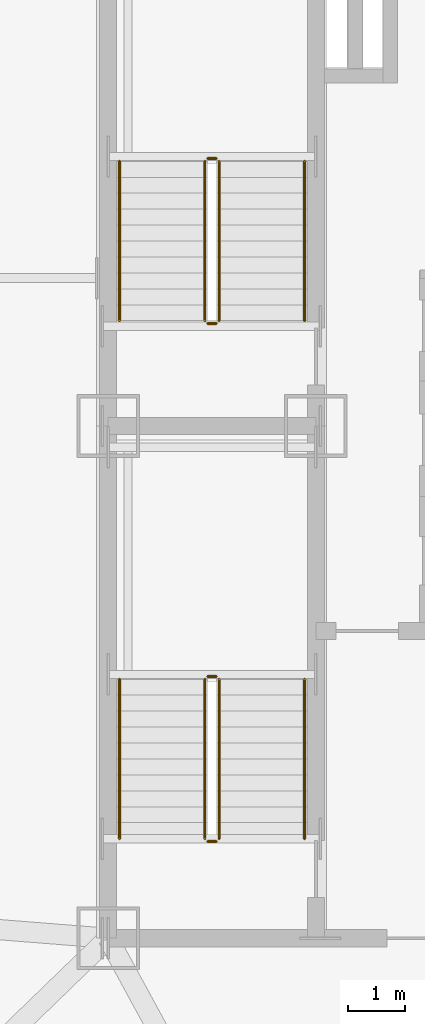
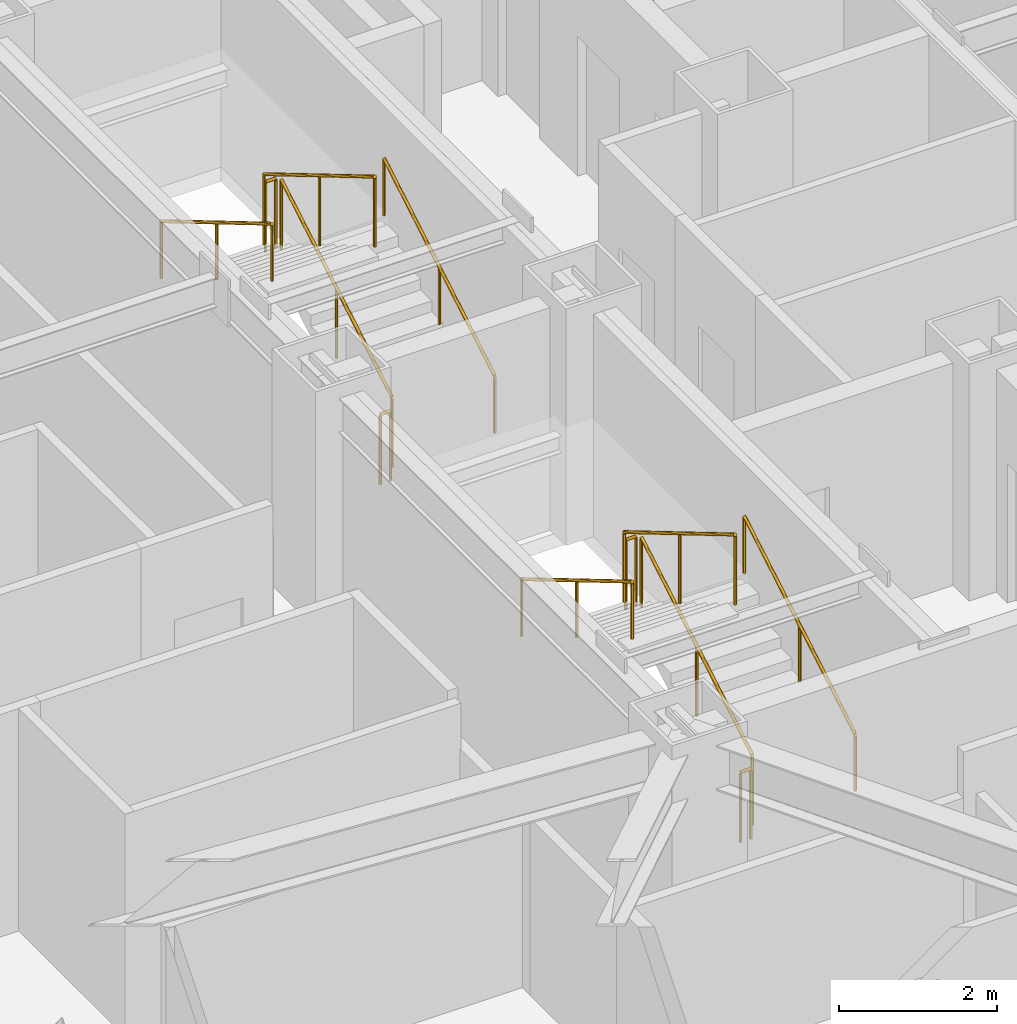
# One storey, part 11 of 11: 12 railings.
"""IFC4 building model written with IfcOpenShell, lengths in metres."""

from ifc_helpers import new_model, si_unit, direction, frame, origin, origin_2d, place, context, subcontext, project, spatial, circle, extrude, material, type_object, element, save


model = new_model("IFC4")

# Units and contexts
model_context = context("Model", 3, precision=1e-05, world=origin(), true_north=direction((0.0, 1.0)))
body_context = subcontext(model_context, "Body", "Model", "MODEL_VIEW")
ifc_project = project(units=[si_unit("LENGTHUNIT", "METRE"), si_unit("AREAUNIT", "SQUARE_METRE"), si_unit("VOLUMEUNIT", "CUBIC_METRE"), si_unit("PLANEANGLEUNIT", "RADIAN"), si_unit("MASSUNIT", "GRAM", prefix="KILO")], contexts=[model_context])

# Site, building, storey
site_placement = place(None, origin())
site = spatial("IfcSite", under=ifc_project, at=site_placement, CompositionType="ELEMENT")
building_placement = place(site_placement, origin())
building = spatial("IfcBuilding", under=site, at=building_placement, Name="Khamvora Tower", CompositionType="ELEMENT")
storey_placement = place(building_placement, frame((0.0, 0.0, 174.14990234375)))
storey = spatial("IfcBuildingStorey", under=building, at=storey_placement, Name="L44", CompositionType="ELEMENT", Elevation=174.14990234375)

# Railings
ifc_material_1 = material(Name="Brushed Stainless Steel 316", Category="steel")
railing_type_1 = type_object("IfcRailingType", Name="RAL-HDR-920", PredefinedType="HANDRAIL", material=ifc_material_1)
railing_1_placement = place(storey_placement, frame((32.449951171875, 20.75, 0.166015625)))
element("IfcRailing", 1, at=railing_1_placement, inside=storey, type_object=railing_type_1, Name="L44 ST-01 stair handrail 1", PredefinedType="HANDRAIL", context=body_context, shape_type="SweptSolid", body=[
    extrude(circle(Radius=0.02392578125, at=origin_2d()), frame((0.0, 0.0, 0.8759765625), z_axis=(0.0, 0.860306154799, 0.50977771628), x_axis=(-1.0, 0.0, 0.0)), (0.0, 0.0, 1.0), 3.254638671875),
    extrude(circle(Radius=0.02099609375, at=origin_2d()), origin(), (0.0, 0.0, 1.0), 0.851806640625),
    extrude(circle(Radius=0.02099609375, at=origin_2d()), frame((0.0, 1.39990234375, 0.82958984375)), (0.0, 0.0, 1.0), 0.851806640625),
    extrude(circle(Radius=0.02099609375, at=origin_2d()), frame((0.0, 2.800048828125, 1.6591796875)), (0.0, 0.0, 1.0), 0.851806640625),
])
railing_2_placement = place(storey_placement, frame((29.199951171875, 23.550048828125, 1.990966796875)))
element("IfcRailing", 2, at=railing_2_placement, inside=storey, type_object=railing_type_1, Name="L44 ST-01 stair handrail 2", PredefinedType="HANDRAIL", context=body_context, shape_type="SweptSolid", body=[
    extrude(circle(Radius=0.02392578125, at=origin_2d()), frame((0.0, 0.0, 0.8759765625), z_axis=(0.0, -0.860306154799, 0.50977771628), x_axis=(1.0, 0.0, 0.0)), (0.0, 0.0, 1.0), 3.254638671875),
    extrude(circle(Radius=0.02099609375, at=origin_2d()), origin(), (0.0, 0.0, 1.0), 0.851806640625),
    extrude(circle(Radius=0.02099609375, at=origin_2d()), frame((0.0, -1.39990234375, 0.82958984375)), (0.0, 0.0, 1.0), 0.851806640625),
    extrude(circle(Radius=0.02099609375, at=origin_2d()), frame((0.0, -2.800048828125, 1.6591796875)), (0.0, 0.0, 1.0), 0.851806640625),
])
railing_3_placement = place(storey_placement, frame((32.449951171875, 29.85009765625, 0.166015625)))
element("IfcRailing", 3, at=railing_3_placement, inside=storey, type_object=railing_type_1, Name="L44 ST-02 stair handrail 1", PredefinedType="HANDRAIL", context=body_context, shape_type="SweptSolid", body=[
    extrude(circle(Radius=0.02392578125, at=origin_2d()), frame((0.0, 0.0, 0.8759765625), z_axis=(0.0, 0.860286659441, 0.509810615413), x_axis=(-1.0, 0.0, 0.0)), (0.0, 0.0, 1.0), 3.25439453125),
    extrude(circle(Radius=0.02099609375, at=origin_2d()), origin(), (0.0, 0.0, 1.0), 0.851806640625),
    extrude(circle(Radius=0.02099609375, at=origin_2d()), frame((0.0, 1.39990234375, 0.82958984375)), (0.0, 0.0, 1.0), 0.851806640625),
    extrude(circle(Radius=0.02099609375, at=origin_2d()), frame((0.0, 2.7998046875, 1.6591796875)), (0.0, 0.0, 1.0), 0.851806640625),
])
railing_4_placement = place(storey_placement, frame((29.199951171875, 32.64990234375, 1.990966796875)))
element("IfcRailing", 4, at=railing_4_placement, inside=storey, type_object=railing_type_1, Name="L44 ST-02 stair handrail 2", PredefinedType="HANDRAIL", context=body_context, shape_type="SweptSolid", body=[
    extrude(circle(Radius=0.02392578125, at=origin_2d()), frame((0.0, 0.0, 0.8759765625), z_axis=(0.0, -0.860286659441, 0.509810615413), x_axis=(1.0, 0.0, 0.0)), (0.0, 0.0, 1.0), 3.25439453125),
    extrude(circle(Radius=0.02099609375, at=origin_2d()), origin(), (0.0, 0.0, 1.0), 0.851806640625),
    extrude(circle(Radius=0.02099609375, at=origin_2d()), frame((0.0, -1.39990234375, 0.82958984375)), (0.0, 0.0, 1.0), 0.851806640625),
    extrude(circle(Radius=0.02099609375, at=origin_2d()), frame((0.0, -2.7998046875, 1.6591796875)), (0.0, 0.0, 1.0), 0.851806640625),
])
ifc_material_2 = material(Name="Stainless Steel 316", Category="steel")
railing_type_2 = type_object("IfcRailingType", Name="RAL-STG-1100", PredefinedType="GUARDRAIL", material=ifc_material_2)
railing_5_placement = place(storey_placement, frame((30.949951171875, 20.75, 0.166015625)))
element("IfcRailing", 5, at=railing_5_placement, inside=storey, type_object=railing_type_2, Name="L44 ST-01 stair guard 1", PredefinedType="GUARDRAIL", context=body_context, shape_type="SweptSolid", body=[
    extrude(circle(Radius=0.02392578125, at=origin_2d()), frame((0.0, 0.0, 1.076171875), z_axis=(0.0, 0.860306154799, 0.50977771628), x_axis=(-1.0, 0.0, 0.0)), (0.0, 0.0, 1.0), 3.254638671875),
    extrude(circle(Radius=0.02099609375, at=origin_2d()), origin(), (0.0, 0.0, 1.0), 1.052001953125),
    extrude(circle(Radius=0.02099609375, at=origin_2d()), frame((0.0, 1.39990234375, 0.82958984375)), (0.0, 0.0, 1.0), 1.052001953125),
    extrude(circle(Radius=0.02099609375, at=origin_2d()), frame((0.0, 2.800048828125, 1.6591796875)), (0.0, 0.0, 1.0), 1.052001953125),
])
railing_6_placement = place(storey_placement, frame((30.89990234375, 23.60009765625, 1.8251953125)))
element("IfcRailing", 6, at=railing_6_placement, inside=storey, type_object=railing_type_2, Name="L44 ST-01 stair guard 2", PredefinedType="GUARDRAIL", context=body_context, shape_type="SweptSolid", body=[
    extrude(circle(Radius=0.02392578125, at=origin_2d()), frame((0.0, 0.0, 1.076171875), z_axis=(-1.0, 0.0, 0.0), x_axis=(0.0, -1.0, 0.0)), (0.0, 0.0, 1.0), 0.14990234375),
    extrude(circle(Radius=0.02099609375, at=origin_2d()), origin(), (0.0, 0.0, 1.0), 1.052001953125),
    extrude(circle(Radius=0.02099609375, at=origin_2d()), frame((-0.14990234375, 0.0, 0.0)), (0.0, 0.0, 1.0), 1.052001953125),
])
railing_7_placement = place(storey_placement, frame((30.699951171875, 23.550048828125, 1.990966796875)))
element("IfcRailing", 7, at=railing_7_placement, inside=storey, type_object=railing_type_2, Name="L44 ST-01 stair guard 3", PredefinedType="GUARDRAIL", context=body_context, shape_type="SweptSolid", body=[
    extrude(circle(Radius=0.02392578125, at=origin_2d()), frame((0.0, 0.0, 1.076171875), z_axis=(0.0, -0.860306154799, 0.50977771628), x_axis=(1.0, 0.0, 0.0)), (0.0, 0.0, 1.0), 3.254638671875),
    extrude(circle(Radius=0.02099609375, at=origin_2d()), origin(), (0.0, 0.0, 1.0), 1.052001953125),
    extrude(circle(Radius=0.02099609375, at=origin_2d()), frame((0.0, -1.39990234375, 0.82958984375)), (0.0, 0.0, 1.0), 1.052001953125),
    extrude(circle(Radius=0.02099609375, at=origin_2d()), frame((0.0, -2.800048828125, 1.6591796875)), (0.0, 0.0, 1.0), 1.052001953125),
])
railing_8_placement = place(storey_placement, frame((30.89990234375, 20.699951171875, 0.0)))
element("IfcRailing", 8, at=railing_8_placement, inside=storey, type_object=railing_type_2, Name="L44 ST-01 stair guard 4", PredefinedType="GUARDRAIL", context=body_context, shape_type="SweptSolid", body=[
    extrude(circle(Radius=0.02392578125, at=origin_2d()), frame((0.0, 0.0, 1.076171875), z_axis=(-1.0, 0.0, 0.0), x_axis=(0.0, -1.0, 0.0)), (0.0, 0.0, 1.0), 0.14990234375),
    extrude(circle(Radius=0.02099609375, at=origin_2d()), origin(), (0.0, 0.0, 1.0), 1.052001953125),
    extrude(circle(Radius=0.02099609375, at=origin_2d()), frame((-0.14990234375, 0.0, 0.0)), (0.0, 0.0, 1.0), 1.052001953125),
])
railing_9_placement = place(storey_placement, frame((30.949951171875, 29.85009765625, 0.166015625)))
element("IfcRailing", 9, at=railing_9_placement, inside=storey, type_object=railing_type_2, Name="L44 ST-02 stair guard 1", PredefinedType="GUARDRAIL", context=body_context, shape_type="SweptSolid", body=[
    extrude(circle(Radius=0.02392578125, at=origin_2d()), frame((0.0, 0.0, 1.076171875), z_axis=(0.0, 0.860286659441, 0.509810615413), x_axis=(-1.0, 0.0, 0.0)), (0.0, 0.0, 1.0), 3.25439453125),
    extrude(circle(Radius=0.02099609375, at=origin_2d()), origin(), (0.0, 0.0, 1.0), 1.052001953125),
    extrude(circle(Radius=0.02099609375, at=origin_2d()), frame((0.0, 1.39990234375, 0.82958984375)), (0.0, 0.0, 1.0), 1.052001953125),
    extrude(circle(Radius=0.02099609375, at=origin_2d()), frame((0.0, 2.7998046875, 1.6591796875)), (0.0, 0.0, 1.0), 1.052001953125),
])
railing_10_placement = place(storey_placement, frame((30.89990234375, 32.699951171875, 1.8251953125)))
element("IfcRailing", 10, at=railing_10_placement, inside=storey, type_object=railing_type_2, Name="L44 ST-02 stair guard 2", PredefinedType="GUARDRAIL", context=body_context, shape_type="SweptSolid", body=[
    extrude(circle(Radius=0.02392578125, at=origin_2d()), frame((0.0, 0.0, 1.076171875), z_axis=(-1.0, 0.0, 0.0), x_axis=(0.0, -1.0, 0.0)), (0.0, 0.0, 1.0), 0.14990234375),
    extrude(circle(Radius=0.02099609375, at=origin_2d()), origin(), (0.0, 0.0, 1.0), 1.052001953125),
    extrude(circle(Radius=0.02099609375, at=origin_2d()), frame((-0.14990234375, 0.0, 0.0)), (0.0, 0.0, 1.0), 1.052001953125),
])
railing_11_placement = place(storey_placement, frame((30.699951171875, 32.64990234375, 1.990966796875)))
element("IfcRailing", 11, at=railing_11_placement, inside=storey, type_object=railing_type_2, Name="L44 ST-02 stair guard 3", PredefinedType="GUARDRAIL", context=body_context, shape_type="SweptSolid", body=[
    extrude(circle(Radius=0.02392578125, at=origin_2d()), frame((0.0, 0.0, 1.076171875), z_axis=(0.0, -0.860286659441, 0.509810615413), x_axis=(1.0, 0.0, 0.0)), (0.0, 0.0, 1.0), 3.25439453125),
    extrude(circle(Radius=0.02099609375, at=origin_2d()), origin(), (0.0, 0.0, 1.0), 1.052001953125),
    extrude(circle(Radius=0.02099609375, at=origin_2d()), frame((0.0, -1.39990234375, 0.82958984375)), (0.0, 0.0, 1.0), 1.052001953125),
    extrude(circle(Radius=0.02099609375, at=origin_2d()), frame((0.0, -2.7998046875, 1.6591796875)), (0.0, 0.0, 1.0), 1.052001953125),
])
railing_12_placement = place(storey_placement, frame((30.89990234375, 29.800048828125, 0.0)))
element("IfcRailing", 12, at=railing_12_placement, inside=storey, type_object=railing_type_2, Name="L44 ST-02 stair guard 4", PredefinedType="GUARDRAIL", context=body_context, shape_type="SweptSolid", body=[
    extrude(circle(Radius=0.02392578125, at=origin_2d()), frame((0.0, 0.0, 1.076171875), z_axis=(-1.0, 0.0, 0.0), x_axis=(0.0, -1.0, 0.0)), (0.0, 0.0, 1.0), 0.14990234375),
    extrude(circle(Radius=0.02099609375, at=origin_2d()), origin(), (0.0, 0.0, 1.0), 1.052001953125),
    extrude(circle(Radius=0.02099609375, at=origin_2d()), frame((-0.14990234375, 0.0, 0.0)), (0.0, 0.0, 1.0), 1.052001953125),
])

save(model, "model.ifc")
